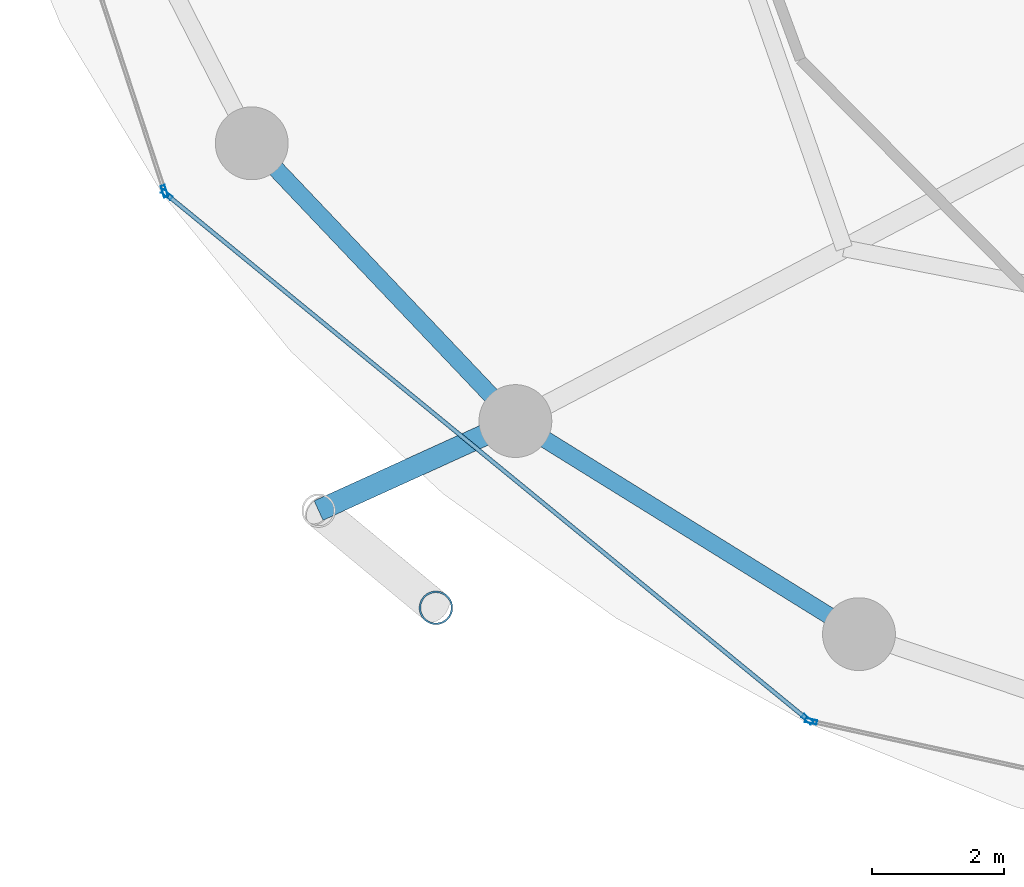
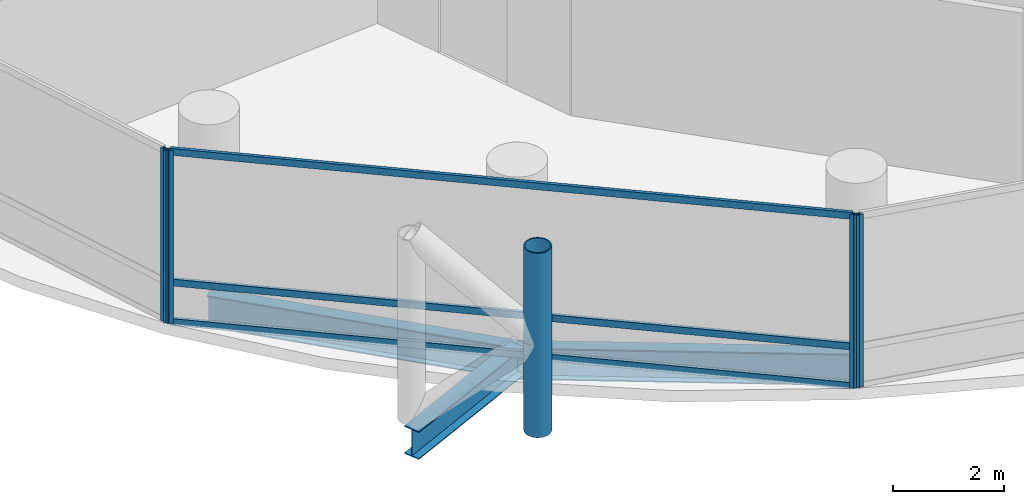
# One storey, part 2 of 24: 8 members, 3 beams, 3 elements without a shape of their own.
"""IFC4 building model written with IfcOpenShell, lengths in metres."""

from ifc_helpers import new_model, si_unit, direction, frame, origin, origin_2d, place, context, subcontext, project, spatial, hollow_rectangle, hollow_circle, i_section, extrude, material, layer, layer_set, material_profile, profile_set, type_object, element, aggregate, save


model = new_model("IFC4")

# Units and contexts
model_context = context("Model", 3, precision=1e-05, world=origin(), true_north=direction((0.0, 1.0)))
body_context = subcontext(model_context, "Body", "Model", "MODEL_VIEW")
ifc_project = project(units=[si_unit("LENGTHUNIT", "METRE"), si_unit("AREAUNIT", "SQUARE_METRE"), si_unit("VOLUMEUNIT", "CUBIC_METRE"), si_unit("PLANEANGLEUNIT", "RADIAN"), si_unit("MASSUNIT", "GRAM", prefix="KILO")], contexts=[model_context])

# Site, building, storey
site_placement = place(None, origin())
site = spatial("IfcSite", under=ifc_project, at=site_placement, CompositionType="ELEMENT")
building_placement = place(site_placement, origin())
building = spatial("IfcBuilding", under=site, at=building_placement, Name="Nuhasar Tower", CompositionType="ELEMENT")
storey_placement = place(building_placement, frame((0.0, 0.0, 85.800048828125)))
storey = spatial("IfcBuildingStorey", under=building, at=storey_placement, Name="L20", CompositionType="ELEMENT", Elevation=85.800048828125)

# Beams
ifc_material_1 = material(Name="Steel S355", Category="steel")
ifc_material_profile_1 = material_profile(ifc_material_1, i_section(OverallWidth=0.256103515625, OverallDepth=0.693115234375, WebThickness=0.014404296875, FlangeThickness=0.023681640625, at=origin_2d()), Name="W27X114")
ifc_profile_set_1 = profile_set([ifc_material_profile_1], Name="Steel S355")
beam_type_1 = type_object("IfcBeamType", Name="BM-RING-W27X114", PredefinedType="SPANDREL", material=ifc_profile_set_1)
beam_1_placement = place(storey_placement, frame((17.305908203125, 16.675048828125, -0.59716796875), z_axis=(0.688459812429, -0.725274490569, 0.0), x_axis=(0.725274490569, 0.688459812429, 0.0)))
element("IfcBeam", 1, at=beam_1_placement, inside=storey, type_object=beam_type_1, Name="L20 Perimeter Ring Spandrel 15", PredefinedType="SPANDREL", context=body_context, shape_type="SweptSolid", body=[
    extrude(i_section(OverallWidth=0.256103515625, OverallDepth=0.693115234375, WebThickness=0.014404296875, FlangeThickness=0.023681640625, at=origin_2d()), origin(), (0.0, 0.0, 1.0), 5.78271484375),
])
beam_2_placement = place(storey_placement, frame((21.287109375, 12.48095703125, -0.59716796875), z_axis=(0.849795216549, -0.527112976439, 0.0), x_axis=(0.527112976439, 0.849795216549, 0.0)))
element("IfcBeam", 2, at=beam_2_placement, inside=storey, type_object=beam_type_1, Name="L20 Perimeter Ring Spandrel 16", PredefinedType="SPANDREL", context=body_context, shape_type="SweptSolid", body=[
    extrude(i_section(OverallWidth=0.256103515625, OverallDepth=0.693115234375, WebThickness=0.014404296875, FlangeThickness=0.023681640625, at=origin_2d()), origin(), (0.0, 0.0, 1.0), 6.10498046875),
])
ifc_material_profile_2 = material_profile(ifc_material_1, i_section(OverallWidth=0.323974609375, OverallDepth=0.611083984375, WebThickness=0.0126953125, FlangeThickness=0.01904296875, at=origin_2d()), Name="W24X104")
ifc_profile_set_2 = profile_set([ifc_material_profile_2], Name="Steel S355")
beam_type_2 = type_object("IfcBeamType", Name="BM-TIE-W24X104", PredefinedType="BEAM", material=ifc_profile_set_2)
beam_3_placement = place(storey_placement, frame((21.287109375, 12.48095703125, -0.554931640625), z_axis=(-0.910243528587, -0.414073325227, 0.0), x_axis=(0.414073325227, -0.910243528587, 0.0)))
element("IfcBeam", 3, at=beam_3_placement, inside=storey, type_object=beam_type_2, Name="L20 Exoskeleton Node Tie Beam 08", PredefinedType="BEAM", context=body_context, shape_type="SweptSolid", body=[
    extrude(i_section(OverallWidth=0.323974609375, OverallDepth=0.611083984375, WebThickness=0.0126953125, FlangeThickness=0.01904296875, at=origin_2d()), origin(), (0.0, 0.0, 1.0), 3.26513671875),
])

# Curtain wall, member
ifc_material_2 = material(Name="Aluminium 6063-T6", Category="aluminium")
ifc_layer = layer(ifc_material_2, 0.199951171875)
ifc_layer_set = layer_set([ifc_layer], Name="Aluminium 6063-T6")
curtain_wall_type = type_object("IfcCurtainWallType", Name="CW-Z1-OFF", PredefinedType="NOTDEFINED", material=ifc_layer_set)
curtain_wall_1_placement = place(storey_placement, origin())
curtain_wall_1 = element("IfcCurtainWall", 4, at=curtain_wall_1_placement, inside=storey, type_object=curtain_wall_type, Name="L20 Unitised Curtain Wall 07", PredefinedType="NOTDEFINED")
ifc_material_profile_3 = material_profile(ifc_material_2, hollow_rectangle(XDim=0.06494140625, YDim=0.179931640625, WallThickness=0.0048828125, at=origin_2d()), Name="CWM-2")
ifc_profile_set_3 = profile_set([ifc_material_profile_3], Name="Aluminium 6063-T6")
member_type_1 = type_object("IfcMemberType", Name="CW-MUL-S2", PredefinedType="MULLION", material=ifc_profile_set_3)
member_1_placement = place(storey_placement, frame((15.98779296875, 15.950927734375, 0.0), z_axis=(0.0, 0.0, 1.0), x_axis=(0.950467534571, 0.310823849997, 0.0)))
member_1 = element("IfcMember", 5, at=member_1_placement, type_object=member_type_1, Name="CW-Z1 mullion 2", PredefinedType="MULLION", context=body_context, shape_type="SweptSolid", body=[
    extrude(hollow_rectangle(XDim=0.06494140625, YDim=0.179931640625, WallThickness=0.0048828125, at=origin_2d()), origin(), (0.0, 0.0, 1.0), 3.800048828125),
])
aggregate(curtain_wall_1, [member_1])

# Curtain wall, members
curtain_wall_2_placement = place(storey_placement, origin())
curtain_wall_2 = element("IfcCurtainWall", 6, at=curtain_wall_2_placement, inside=storey, type_object=curtain_wall_type, Name="L20 Unitised Curtain Wall 08", PredefinedType="NOTDEFINED")
member_2_placement = place(storey_placement, frame((16.023193359375, 15.8994140625, 0.0), z_axis=(0.0, 0.0, 1.0), x_axis=(0.633744593376, 0.773542364946, 0.0)))
member_2 = element("IfcMember", 7, at=member_2_placement, type_object=member_type_1, Name="CW-Z1 mullion 1", PredefinedType="MULLION", context=body_context, shape_type="SweptSolid", body=[
    extrude(hollow_rectangle(XDim=0.06494140625, YDim=0.179931640625, WallThickness=0.0048828125, at=origin_2d()), origin(), (0.0, 0.0, 1.0), 3.800048828125),
])
member_3_placement = place(storey_placement, frame((25.69482421875, 7.9755859375, 0.0), z_axis=(0.0, 0.0, 1.0), x_axis=(0.633744593376, 0.773542364946, 0.0)))
member_3 = element("IfcMember", 8, at=member_3_placement, type_object=member_type_1, Name="CW-Z1 mullion 2", PredefinedType="MULLION", context=body_context, shape_type="SweptSolid", body=[
    extrude(hollow_rectangle(XDim=0.06494140625, YDim=0.179931640625, WallThickness=0.0048828125, at=origin_2d()), origin(), (0.0, 0.0, 1.0), 3.800048828125),
])

# Curtain wall, member
curtain_wall_3_placement = place(storey_placement, origin())
curtain_wall_3 = element("IfcCurtainWall", 9, at=curtain_wall_3_placement, inside=storey, type_object=curtain_wall_type, Name="L20 Unitised Curtain Wall 09", PredefinedType="NOTDEFINED")
member_4_placement = place(storey_placement, frame((25.751708984375, 7.947998046875, 0.0), z_axis=(0.0, 0.0, 1.0), x_axis=(0.214398737637, 0.976746221544, 0.0)))
member_4 = element("IfcMember", 10, at=member_4_placement, type_object=member_type_1, Name="CW-Z1 mullion 1", PredefinedType="MULLION", context=body_context, shape_type="SweptSolid", body=[
    extrude(hollow_rectangle(XDim=0.06494140625, YDim=0.179931640625, WallThickness=0.0048828125, at=origin_2d()), origin(), (0.0, 0.0, 1.0), 3.800048828125),
])
aggregate(curtain_wall_3, [member_4])

# Member
ifc_material_profile_4 = material_profile(ifc_material_2, hollow_rectangle(XDim=0.06494140625, YDim=0.14990234375, WallThickness=0.00439453125, at=origin_2d()), Name="CWT-2")
ifc_profile_set_4 = profile_set([ifc_material_profile_4], Name="Aluminium 6063-T6")
member_type_2 = type_object("IfcMemberType", Name="CW-TRN-S2", PredefinedType="USERDEFINED", material=ifc_profile_set_4)
member_5_placement = place(storey_placement, frame((16.04833984375, 15.87890625, 0.032470703125), z_axis=(0.773531229158, -0.633758185365, 0.0), x_axis=(0.633758185365, 0.773531229158, 0.0)))
member_5 = element("IfcMember", 11, at=member_5_placement, type_object=member_type_2, Name="CW-Z1 transom 1.1", ObjectType="TRANSOM", PredefinedType="USERDEFINED", context=body_context, shape_type="SweptSolid", body=[
    extrude(hollow_rectangle(XDim=0.06494140625, YDim=0.14990234375, WallThickness=0.00439453125, at=origin_2d()), origin(), (0.0, 0.0, 1.0), 12.438232421875),
])

member_6_placement = place(storey_placement, frame((16.04833984375, 15.87890625, 0.89990234375), z_axis=(0.773531229158, -0.633758185365, 0.0), x_axis=(0.633758185365, 0.773531229158, 0.0)))
member_6 = element("IfcMember", 12, at=member_6_placement, type_object=member_type_2, Name="CW-Z1 transom 1.2", ObjectType="TRANSOM", PredefinedType="USERDEFINED", context=body_context, shape_type="SweptSolid", body=[
    extrude(hollow_rectangle(XDim=0.06494140625, YDim=0.14990234375, WallThickness=0.00439453125, at=origin_2d()), origin(), (0.0, 0.0, 1.0), 12.438232421875),
])

member_7_placement = place(storey_placement, frame((16.04833984375, 15.87890625, 3.767333984375), z_axis=(0.773531229158, -0.633758185365, 0.0), x_axis=(0.633758185365, 0.773531229158, 0.0)))
member_7 = element("IfcMember", 13, at=member_7_placement, type_object=member_type_2, Name="CW-Z1 transom 1.3", ObjectType="TRANSOM", PredefinedType="USERDEFINED", context=body_context, shape_type="SweptSolid", body=[
    extrude(hollow_rectangle(XDim=0.06494140625, YDim=0.14990234375, WallThickness=0.00439453125, at=origin_2d()), origin(), (0.0, 0.0, 1.0), 12.438232421875),
])

aggregate(curtain_wall_2, [member_2, member_3, member_5, member_6, member_7])

ifc_material_3 = material(Name="Steel S460", Category="steel")
ifc_material_profile_5 = material_profile(ifc_material_3, hollow_circle(Radius=0.25390625, WallThickness=0.025390625, at=origin_2d()), Name="HSS508X25.4")
ifc_profile_set_5 = profile_set([ifc_material_profile_5], Name="Steel S460")
member_type_3 = type_object("IfcMemberType", Name="EXO-BRONZE-508", PredefinedType="BRACE", material=ifc_profile_set_5)
member_8_placement = place(storey_placement, frame((20.0869140625, 9.660888671875, 0.0), z_axis=(0.0, 0.0, 1.0), x_axis=(1.0, 0.0, 0.0)))
element("IfcMember", 14, at=member_8_placement, inside=storey, type_object=member_type_3, Name="L20 Exoskeleton Chord Column EC-08B", PredefinedType="BRACE", context=body_context, shape_type="SweptSolid", body=[
    extrude(hollow_circle(Radius=0.25390625, WallThickness=0.025390625, at=origin_2d()), origin(), (0.0, 0.0, 1.0), 4.050048828125),
])

save(model, "model.ifc")
